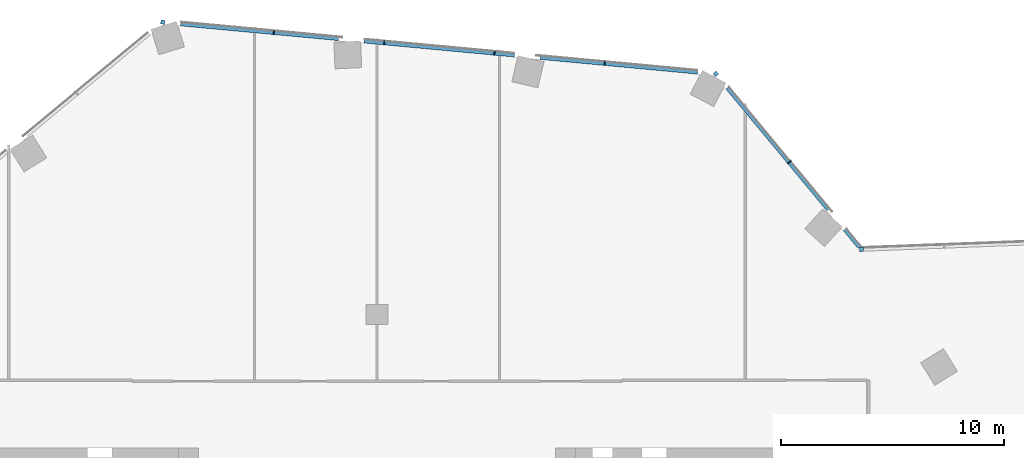
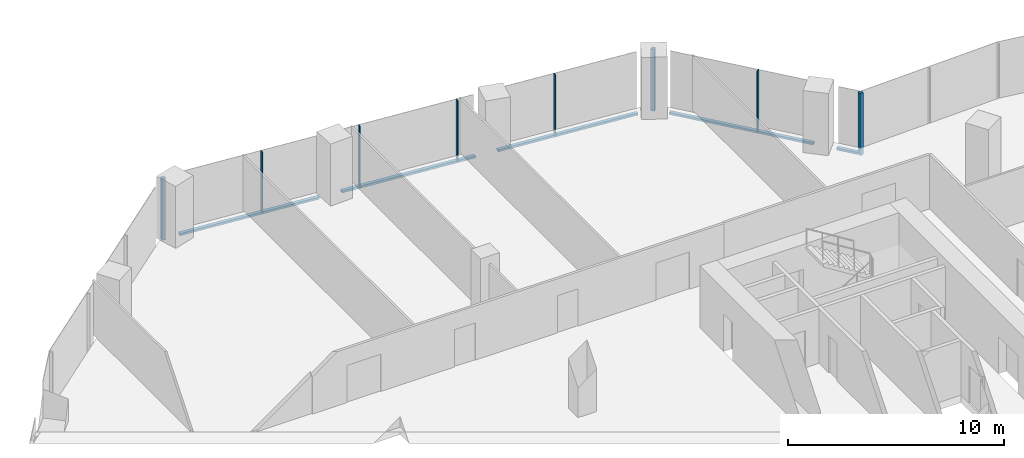
# One storey, part 11 of 24: 13 members, 3 elements without a shape of their own.
"""IFC4 building model written with IfcOpenShell, lengths in metres."""

from ifc_helpers import new_model, si_unit, direction, frame, origin, origin_2d, place, context, subcontext, project, spatial, rectangle, extrude, material, material_profile, profile_set, type_object, element, aggregate, save


model = new_model("IFC4")

# Units and contexts
model_context = context("Model", 3, precision=1e-05, world=origin(), true_north=direction((0.0, 1.0)))
body_context = subcontext(model_context, "Body", "Model", "MODEL_VIEW")
ifc_project = project(units=[si_unit("LENGTHUNIT", "METRE"), si_unit("AREAUNIT", "SQUARE_METRE"), si_unit("VOLUMEUNIT", "CUBIC_METRE"), si_unit("PLANEANGLEUNIT", "RADIAN"), si_unit("MASSUNIT", "GRAM", prefix="KILO")], contexts=[model_context])

# Site, building, storey
site_placement = place(None, origin())
site = spatial("IfcSite", under=ifc_project, at=site_placement, CompositionType="ELEMENT")
building_placement = place(site_placement, origin())
building = spatial("IfcBuilding", under=site, at=building_placement, Name="Orlundy Tower", CompositionType="ELEMENT")
storey_placement = place(building_placement, frame((0.0, 0.0, 174.10009765625)))
storey = spatial("IfcBuildingStorey", under=building, at=storey_placement, Name="L45", CompositionType="ELEMENT", Elevation=174.10009765625)

# Curtain wall, member
ifc_material_1 = material(Name="Aluminium bronze anodised", Category="aluminium")
curtain_wall_type = type_object("IfcCurtainWallType", Name="CW1 wall", PredefinedType="NOTDEFINED", material=ifc_material_1)
curtain_wall_1_placement = place(storey_placement, origin())
curtain_wall_1 = element("IfcCurtainWall", 1, at=curtain_wall_1_placement, inside=storey, type_object=curtain_wall_type, Name="CW1 run 04", PredefinedType="NOTDEFINED")
ifc_material_2 = material(Name="Aluminium bronze anodised", Category="aluminium")
ifc_material_profile_1 = material_profile(ifc_material_2, rectangle(XDim=0.179931640625, YDim=0.179931640625, at=origin_2d()), Name="CW1 corner post 180x180")
ifc_profile_set_1 = profile_set([ifc_material_profile_1], Name="Aluminium bronze anodised")
member_type_1 = type_object("IfcMemberType", Name="CW1 corner post 180x180", PredefinedType="MULLION", material=ifc_profile_set_1)
member_1_placement = place(storey_placement, frame((-9.61279296875, 31.1181640625, -0.420166015625), z_axis=(0.0, 0.0, 1.0), x_axis=(0.092948066811, 0.995670958136, 0.0)))
member_1 = element("IfcMember", 2, at=member_1_placement, type_object=member_type_1, Name="CW1 mullion 19", PredefinedType="MULLION", context=body_context, shape_type="SweptSolid", body=[
    extrude(rectangle(XDim=0.179931640625, YDim=0.179931640625, at=origin_2d()), origin(), (0.0, 0.0, 1.0), 3.5),
])

curtain_wall_2_placement = place(storey_placement, origin())
curtain_wall_2 = element("IfcCurtainWall", 3, at=curtain_wall_2_placement, inside=storey, type_object=curtain_wall_type, Name="CW1 run 05", PredefinedType="NOTDEFINED")
member_2_placement = place(storey_placement, frame((15.20654296875, 28.801025390625, -0.420166015625), z_axis=(0.0, 0.0, 1.0), x_axis=(0.769788399055, 0.638299162368, 0.0)))
member_2 = element("IfcMember", 4, at=member_2_placement, type_object=member_type_1, Name="CW1 mullion 24", PredefinedType="MULLION", context=body_context, shape_type="SweptSolid", body=[
    extrude(rectangle(XDim=0.179931640625, YDim=0.179931640625, at=origin_2d()), origin(), (0.0, 0.0, 1.0), 3.5),
])

curtain_wall_3_placement = place(storey_placement, origin())
curtain_wall_3 = element("IfcCurtainWall", 5, at=curtain_wall_3_placement, inside=storey, type_object=curtain_wall_type, Name="CW1 run 06", PredefinedType="NOTDEFINED")
member_3_placement = place(storey_placement, frame((21.73583984375, 20.926513671875, -0.420166015625), z_axis=(0.0, 0.0, 1.0), x_axis=(-0.037836578056, 0.99928394031, 0.0)))
member_3 = element("IfcMember", 6, at=member_3_placement, type_object=member_type_1, Name="CW1 mullion 26", PredefinedType="MULLION", context=body_context, shape_type="SweptSolid", body=[
    extrude(rectangle(XDim=0.179931640625, YDim=0.179931640625, at=origin_2d()), origin(), (0.0, 0.0, 1.0), 3.5),
])
aggregate(curtain_wall_3, [member_3])

# Member
ifc_material_3 = material(Name="Aluminium bronze anodised", Category="aluminium")
ifc_material_profile_2 = material_profile(ifc_material_3, rectangle(XDim=0.179931640625, YDim=0.050048828125, at=origin_2d()), Name="CW1 mullion 50x180")
ifc_profile_set_2 = profile_set([ifc_material_profile_2], Name="Aluminium bronze anodised")
member_type_2 = type_object("IfcMemberType", Name="CW1 mullion 50x180", PredefinedType="MULLION", material=ifc_profile_set_2)
member_4_placement = place(storey_placement, frame((-4.626708984375, 30.652587890625, -0.420166015625), z_axis=(0.0, 0.0, 1.0), x_axis=(0.092948066811, 0.995670958136, 0.0)))
member_4 = element("IfcMember", 7, at=member_4_placement, type_object=member_type_2, Name="CW1 mullion 20", PredefinedType="MULLION", context=body_context, shape_type="SweptSolid", body=[
    extrude(rectangle(XDim=0.179931640625, YDim=0.050048828125, at=origin_2d()), origin(), (0.0, 0.0, 1.0), 3.5),
])

member_5_placement = place(storey_placement, frame((0.322265625, 30.190673828125, -0.420166015625), z_axis=(0.0, 0.0, 1.0), x_axis=(0.092948066811, 0.995670958136, 0.0)))
member_5 = element("IfcMember", 8, at=member_5_placement, type_object=member_type_2, Name="CW1 mullion 21", PredefinedType="MULLION", context=body_context, shape_type="SweptSolid", body=[
    extrude(rectangle(XDim=0.179931640625, YDim=0.050048828125, at=origin_2d()), origin(), (0.0, 0.0, 1.0), 3.5),
])

member_6_placement = place(storey_placement, frame((5.271484375, 29.728515625, -0.420166015625), z_axis=(0.0, 0.0, 1.0), x_axis=(0.092948066811, 0.995670958136, 0.0)))
member_6 = element("IfcMember", 9, at=member_6_placement, type_object=member_type_2, Name="CW1 mullion 22", PredefinedType="MULLION", context=body_context, shape_type="SweptSolid", body=[
    extrude(rectangle(XDim=0.179931640625, YDim=0.050048828125, at=origin_2d()), origin(), (0.0, 0.0, 1.0), 3.5),
])

member_7_placement = place(storey_placement, frame((10.220458984375, 29.2666015625, -0.420166015625), z_axis=(0.0, 0.0, 1.0), x_axis=(0.092948066811, 0.995670958136, 0.0)))
member_7 = element("IfcMember", 10, at=member_7_placement, type_object=member_type_2, Name="CW1 mullion 23", PredefinedType="MULLION", context=body_context, shape_type="SweptSolid", body=[
    extrude(rectangle(XDim=0.179931640625, YDim=0.050048828125, at=origin_2d()), origin(), (0.0, 0.0, 1.0), 3.5),
])

member_8_placement = place(storey_placement, frame((18.497314453125, 24.83251953125, -0.420166015625), z_axis=(0.0, 0.0, 1.0), x_axis=(0.769788399055, 0.638299162368, 0.0)))
member_8 = element("IfcMember", 11, at=member_8_placement, type_object=member_type_2, Name="CW1 mullion 25", PredefinedType="MULLION", context=body_context, shape_type="SweptSolid", body=[
    extrude(rectangle(XDim=0.179931640625, YDim=0.050048828125, at=origin_2d()), origin(), (0.0, 0.0, 1.0), 3.5),
])

ifc_material_4 = material(Name="Aluminium bronze anodised", Category="aluminium")
ifc_material_profile_3 = material_profile(ifc_material_4, rectangle(XDim=0.179931640625, YDim=0.1201171875, at=origin_2d()), Name="CW1 transom 180x120")
ifc_profile_set_3 = profile_set([ifc_material_profile_3], Name="Aluminium bronze anodised")
member_type_3 = type_object("IfcMemberType", Name="CW1 transom 180x120", PredefinedType="USERDEFINED", material=ifc_profile_set_3)
member_9_placement = place(storey_placement, frame((-8.803955078125, 31.04248046875, -0.360107421875), z_axis=(0.99567116953, -0.092945802311, 0.0), x_axis=(0.092945802311, 0.99567116953, 0.0)))
member_9 = element("IfcMember", 12, at=member_9_placement, type_object=member_type_3, Name="CW1 transom", ObjectType="TRANSOM", PredefinedType="USERDEFINED", context=body_context, shape_type="SweptSolid", body=[
    extrude(rectangle(XDim=0.179931640625, YDim=0.1201171875, at=origin_2d()), origin(), (0.0, 0.0, 1.0), 7.105224609375),
])

member_10_placement = place(storey_placement, frame((-0.5859375, 30.275390625, -0.360107421875), z_axis=(0.995670257295, -0.092955574003, 0.0), x_axis=(0.092955574003, 0.995670257295, 0.0)))
member_10 = element("IfcMember", 13, at=member_10_placement, type_object=member_type_3, Name="CW1 transom", ObjectType="TRANSOM", PredefinedType="USERDEFINED", context=body_context, shape_type="SweptSolid", body=[
    extrude(rectangle(XDim=0.179931640625, YDim=0.1201171875, at=origin_2d()), origin(), (0.0, 0.0, 1.0), 6.79443359375),
])

member_11_placement = place(storey_placement, frame((7.31982421875, 29.537353515625, -0.360107421875), z_axis=(0.995672738099, -0.092928997665, 0.0), x_axis=(0.092928997665, 0.995672738099, 0.0)))
member_11 = element("IfcMember", 14, at=member_11_placement, type_object=member_type_3, Name="CW1 transom", ObjectType="TRANSOM", PredefinedType="USERDEFINED", context=body_context, shape_type="SweptSolid", body=[
    extrude(rectangle(XDim=0.179931640625, YDim=0.1201171875, at=origin_2d()), origin(), (0.0, 0.0, 1.0), 7.109130859375),
])

aggregate(curtain_wall_1, [member_1, member_4, member_5, member_6, member_7, member_9, member_10, member_11])

member_12_placement = place(storey_placement, frame((15.724609375, 28.17626953125, -0.360107421875), z_axis=(0.638307072863, -0.769781839701, 0.0), x_axis=(0.769781839701, 0.638307072863, 0.0)))
member_12 = element("IfcMember", 15, at=member_12_placement, type_object=member_type_3, Name="CW1 transom", ObjectType="TRANSOM", PredefinedType="USERDEFINED", context=body_context, shape_type="SweptSolid", body=[
    extrude(rectangle(XDim=0.179931640625, YDim=0.1201171875, at=origin_2d()), origin(), (0.0, 0.0, 1.0), 7.1064453125),
])

member_13_placement = place(storey_placement, frame((20.99365234375, 21.822021484375, -0.360107421875), z_axis=(0.638214854894, -0.769858297995, 0.0), x_axis=(0.769858297995, 0.638214854894, 0.0)))
member_13 = element("IfcMember", 16, at=member_13_placement, type_object=member_type_3, Name="CW1 transom", ObjectType="TRANSOM", PredefinedType="USERDEFINED", context=body_context, shape_type="SweptSolid", body=[
    extrude(rectangle(XDim=0.179931640625, YDim=0.1201171875, at=origin_2d()), origin(), (0.0, 0.0, 1.0), 1.049560546875),
])

aggregate(curtain_wall_2, [member_2, member_8, member_12, member_13])

save(model, "model.ifc")
